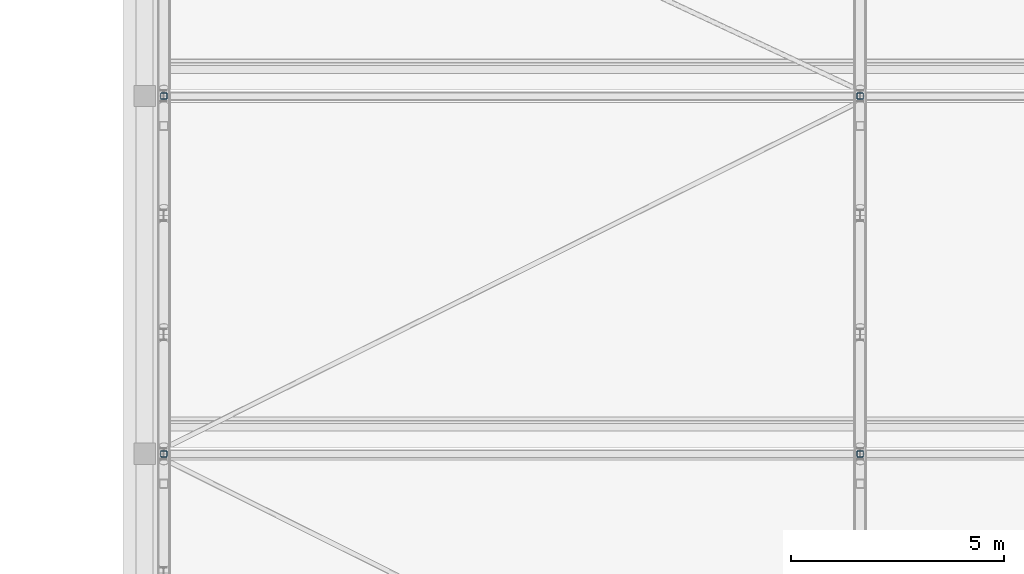
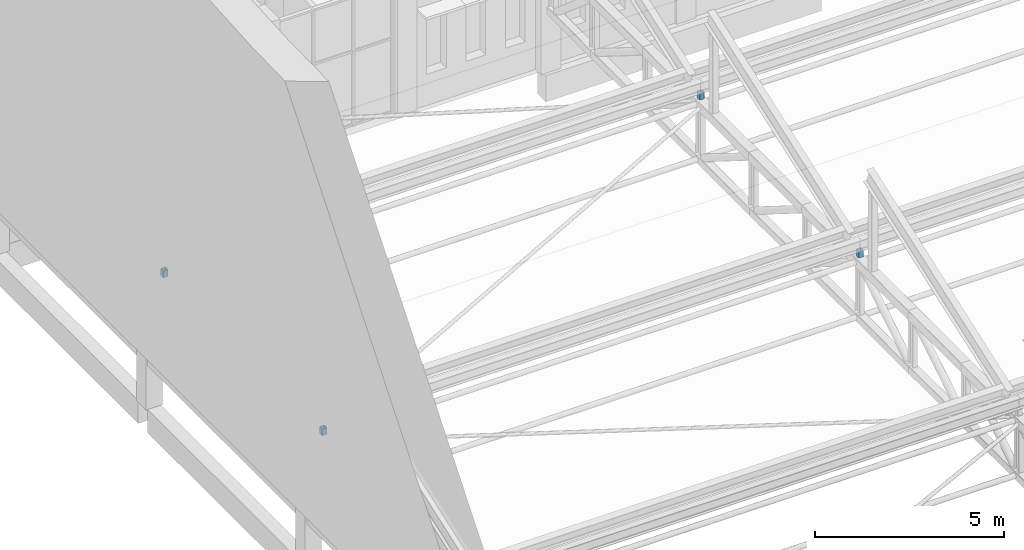
# One storey, part 56 of 101: 4 members.
"""IFC4 building model written with IfcOpenShell, lengths in metres."""

from ifc_helpers import new_model, si_unit, direction, frame, origin, origin_2d, place, context, subcontext, project, spatial, hollow_rectangle, extrude, material, material_profile, profile_set, type_object, element, save


model = new_model("IFC4")

# Units and contexts
model_context = context("Model", 3, precision=1e-05, world=origin(), true_north=direction((0.0, 1.0)))
body_context = subcontext(model_context, "Body", "Model", "MODEL_VIEW")
ifc_project = project(units=[si_unit("LENGTHUNIT", "METRE"), si_unit("AREAUNIT", "SQUARE_METRE"), si_unit("VOLUMEUNIT", "CUBIC_METRE"), si_unit("PLANEANGLEUNIT", "RADIAN"), si_unit("MASSUNIT", "GRAM", prefix="KILO")], contexts=[model_context])

# Site, building, storey
site_placement = place(None, origin())
site = spatial("IfcSite", under=ifc_project, at=site_placement, CompositionType="ELEMENT")
building_placement = place(site_placement, origin())
building = spatial("IfcBuilding", under=site, at=building_placement, Name="Fescue Hill Polytechnic", CompositionType="ELEMENT")
storey_placement = place(building_placement, frame((0.0, 0.0, 9.0)))
storey = spatial("IfcBuildingStorey", under=building, at=storey_placement, Name="L02", CompositionType="ELEMENT", Elevation=9.0)

# Members
ifc_material = material(Name="Steel 350W (350 MPa)", Category="steel")
ifc_material_profile = material_profile(ifc_material, hollow_rectangle(XDim=0.15234375, YDim=0.15234375, WallThickness=0.009521484375, InnerFilletRadius=0.009521484375, OuterFilletRadius=0.01904296875, at=origin_2d()), Name="Valley bearing post HSS 152x152x9.5")
ifc_profile_set = profile_set([ifc_material_profile], Name="Steel 350W (350 MPa)")
member_type = type_object("IfcMemberType", Name="Valley bearing post HSS 152x152x9.5", PredefinedType="POST", material=ifc_profile_set)
for number, where, z_axis, x_axis, name in (
    (1, (0.449951171875, 33.60009765625, 3.93603515625), (0.0, 0.0, 1.0), (1.0, 0.0, 0.0), "Valley 3 bearing post on TR1"),
    (2, (0.449951171875, 42.0, 3.93603515625), (0.0, 0.0, 1.0), (1.0, 0.0, 0.0), "Valley 4 bearing post on TR1"),
    (3, (16.800048828125, 33.60009765625, 3.93603515625), (0.0, 0.0, 1.0), (1.0, 0.0, 0.0), "Valley 3 bearing post on TR2"),
    (4, (16.800048828125, 42.0, 3.93603515625), (0.0, 0.0, 1.0), (1.0, 0.0, 0.0), "Valley 4 bearing post on TR2"),
):
    element("IfcMember", number, at=place(storey_placement, frame(where, z_axis=z_axis, x_axis=x_axis)), inside=storey, type_object=member_type, Name=name, PredefinedType="POST", context=body_context, shape_type="SweptSolid", body=[
        extrude(hollow_rectangle(XDim=0.15234375, YDim=0.15234375, WallThickness=0.009521484375, InnerFilletRadius=0.009521484375, OuterFilletRadius=0.01904296875, at=origin_2d()), origin(), (0.0, 0.0, 1.0), 0.2138671875),
    ])

save(model, "model.ifc")
